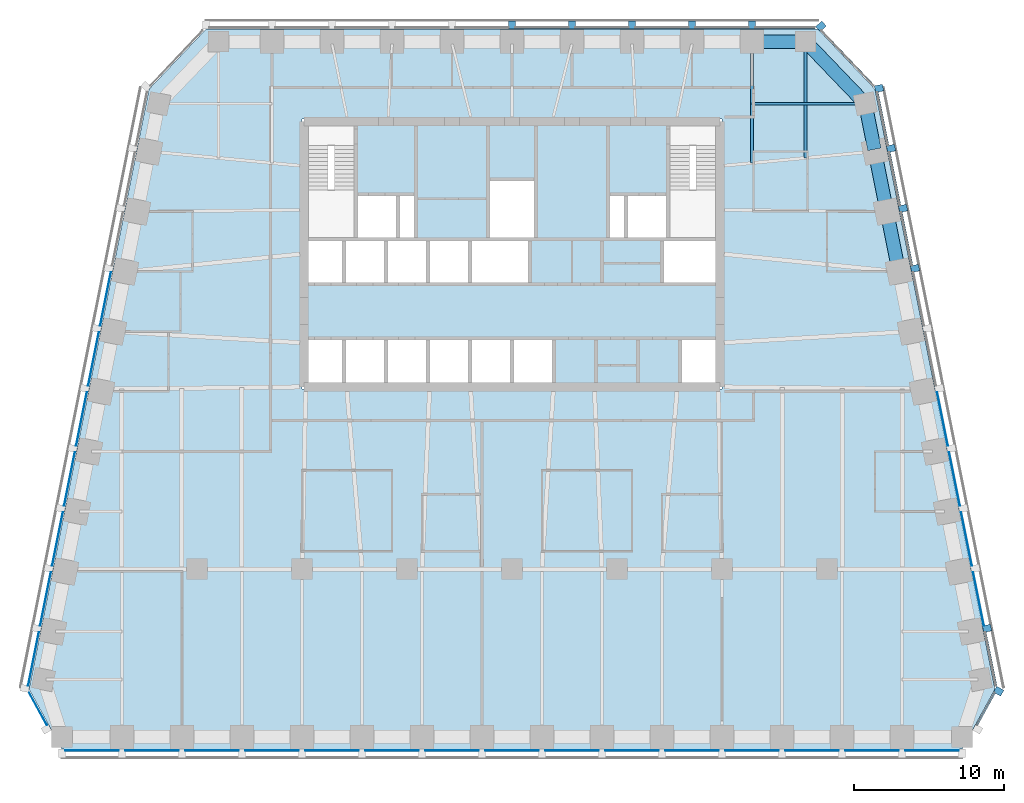
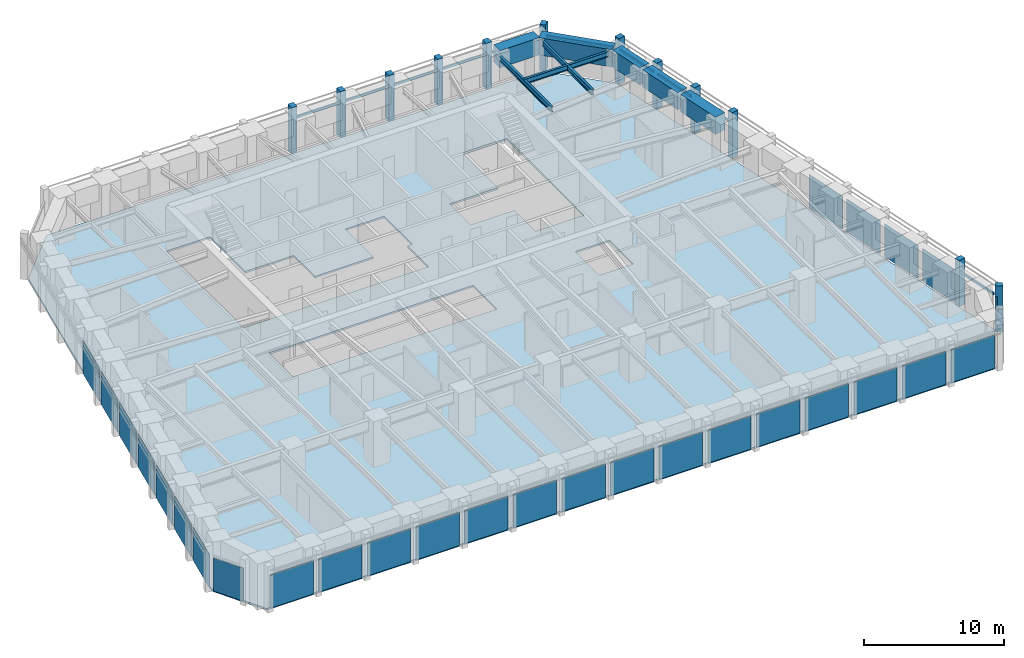
# One storey, part 4 of 10: 27 plates, 23 members, 8 beams, 1 slab, 7 elements without a shape of their own.
"""IFC4 building model written with IfcOpenShell, lengths in metres."""

from ifc_helpers import new_model, si_unit, direction, frame, origin, origin_2d, place, context, subcontext, project, spatial, polyline, rectangle, i_section, outline, extrude, material, layer, layer_set, material_profile, profile_set, type_object, element, aggregate, save


model = new_model("IFC4")

# Units and contexts
model_context = context("Model", 3, precision=1e-05, world=origin(), true_north=direction((0.0, 1.0)))
body_context = subcontext(model_context, "Body", "Model", "MODEL_VIEW")
ifc_project = project(units=[si_unit("LENGTHUNIT", "METRE"), si_unit("AREAUNIT", "SQUARE_METRE"), si_unit("VOLUMEUNIT", "CUBIC_METRE"), si_unit("PLANEANGLEUNIT", "RADIAN"), si_unit("MASSUNIT", "GRAM", prefix="KILO")], contexts=[model_context])

# Site, building, storey
site_placement = place(None, origin())
site = spatial("IfcSite", under=ifc_project, at=site_placement, CompositionType="ELEMENT")
building_placement = place(site_placement, origin())
building = spatial("IfcBuilding", under=site, at=building_placement, Name="Isbrekke Arena Tower", CompositionType="ELEMENT")
storey_placement = place(building_placement, frame((0.0, 0.0, 226.0)))
storey = spatial("IfcBuildingStorey", under=building, at=storey_placement, Name="L52", CompositionType="ELEMENT", Elevation=226.0)

# Beams
ifc_material_1 = material(Name="Steel S355", Category="steel")
ifc_material_profile_1 = material_profile(ifc_material_1, i_section(OverallWidth=0.18994140625, OverallDepth=0.449951171875, WebThickness=0.009521484375, FlangeThickness=0.0146484375, FilletRadius=0.02099609375, at=origin_2d()), Name="IPE 450")
ifc_profile_set_1 = profile_set([ifc_material_profile_1], Name="Steel S355")
beam_type_1 = type_object("IfcBeamType", Name="B2 IPE 450", PredefinedType="BEAM", material=ifc_profile_set_1)
beam_1_placement = place(storey_placement, frame((23.40283203125, 25.029296875, 3.625), z_axis=(-1.0, 0.0, 0.0), x_axis=(0.0, -1.0, 0.0)))
element("IfcBeam", 1, at=beam_1_placement, inside=storey, type_object=beam_type_1, Name="B2 beam E-E11 L52", PredefinedType="BEAM", context=body_context, shape_type="SweptSolid", body=[
    extrude(i_section(OverallWidth=0.18994140625, OverallDepth=0.449951171875, WebThickness=0.009521484375, FlangeThickness=0.0146484375, FilletRadius=0.02099609375, at=origin_2d()), origin(), (0.0, 0.0, 1.0), 7.40283203125),
])
ifc_material_2 = material(Name="Steel S355", Category="steel")
ifc_material_profile_2 = material_profile(ifc_material_2, i_section(OverallWidth=0.18994140625, OverallDepth=0.449951171875, WebThickness=0.009521484375, FlangeThickness=0.0146484375, FilletRadius=0.02099609375, at=origin_2d()), Name="IPE 450")
ifc_profile_set_2 = profile_set([ifc_material_profile_2], Name="Steel S355")
beam_type_2 = type_object("IfcBeamType", Name="B3 IPE 450", PredefinedType="BEAM", material=ifc_profile_set_2)
beam_2_placement = place(storey_placement, frame((19.574951171875, 29.02490234375, 3.625), z_axis=(0.0, -1.0, 0.0), x_axis=(1.0, 0.0, 0.0)))
element("IfcBeam", 2, at=beam_2_placement, inside=storey, type_object=beam_type_2, Name="B3 beam N-N01 L52", PredefinedType="BEAM", context=body_context, shape_type="SweptSolid", body=[
    extrude(i_section(OverallWidth=0.18994140625, OverallDepth=0.449951171875, WebThickness=0.009521484375, FlangeThickness=0.0146484375, FilletRadius=0.02099609375, at=origin_2d()), origin(), (0.0, 0.0, 1.0), 7.6103515625),
])
beam_3_placement = place(storey_placement, frame((16.0, 29.02490234375, 3.625), z_axis=(0.0, -1.0, 0.0), x_axis=(1.0, 0.0, 0.0)))
element("IfcBeam", 3, at=beam_3_placement, inside=storey, type_object=beam_type_2, Name="B3 beam N-N02 L52", PredefinedType="BEAM", context=body_context, shape_type="SweptSolid", body=[
    extrude(i_section(OverallWidth=0.18994140625, OverallDepth=0.449951171875, WebThickness=0.009521484375, FlangeThickness=0.0146484375, FilletRadius=0.02099609375, at=origin_2d()), origin(), (0.0, 0.0, 1.0), 7.949462890625),
])

# Curtain wall, member
ifc_material_3 = material(Name="Glazed aluminium curtain wall", Category="aluminium")
curtain_wall_type = type_object("IfcCurtainWallType", Name="CWH TOWER CURTAIN WALL HIGH ZONE", PredefinedType="USERDEFINED", material=ifc_material_3)
curtain_wall_1_placement = place(storey_placement, origin())
curtain_wall_1 = element("IfcCurtainWall", 4, at=curtain_wall_1_placement, inside=storey, type_object=curtain_wall_type, Name="CWH curtain wall L52-SE", ObjectType="TOWER CURTAIN WALL HIGH ZONE", PredefinedType="USERDEFINED")
ifc_material_4 = material(Name="Aluminium mullion, pale brick slip cladding", Category="masonry")
ifc_material_profile_3 = material_profile(ifc_material_4, rectangle(XDim=0.449951171875, YDim=0.550048828125, at=origin_2d()), Name="PIER 450X550")
ifc_profile_set_3 = profile_set([ifc_material_profile_3], Name="Aluminium mullion, pale brick slip cladding")
member_type_1 = type_object("IfcMemberType", Name="CWH-M PIER MULLION 450 x 550", PredefinedType="MULLION", material=ifc_profile_set_3)
member_1_placement = place(storey_placement, frame((32.44091796875, -14.132568359375, 0.0), z_axis=(0.0, 0.0, 1.0), x_axis=(0.481918749773, 0.876215908676, 0.0)))
member_1 = element("IfcMember", 5, at=member_1_placement, type_object=member_type_1, Name="CWH-M mullion 2", PredefinedType="MULLION", context=body_context, shape_type="SweptSolid", body=[
    extrude(rectangle(XDim=0.449951171875, YDim=0.550048828125, at=origin_2d()), origin(), (0.0, 0.0, 1.0), 4.0),
])

# Curtain wall, members
curtain_wall_2_placement = place(storey_placement, origin())
curtain_wall_2 = element("IfcCurtainWall", 6, at=curtain_wall_2_placement, inside=storey, type_object=curtain_wall_type, Name="CWH curtain wall L52-E", ObjectType="TOWER CURTAIN WALL HIGH ZONE", PredefinedType="USERDEFINED")
member_2_placement = place(storey_placement, frame((31.669677734375, -9.946044921875, 0.0), z_axis=(0.0, 0.0, 1.0), x_axis=(-0.196116135138, 0.980580675691, 0.0)))
member_2 = element("IfcMember", 7, at=member_2_placement, type_object=member_type_1, Name="CWH-M mullion 1", PredefinedType="MULLION", context=body_context, shape_type="SweptSolid", body=[
    extrude(rectangle(XDim=0.449951171875, YDim=0.550048828125, at=origin_2d()), origin(), (0.0, 0.0, 1.0), 4.0),
])
member_3_placement = place(storey_placement, frame((26.86962890625, 14.053955078125, 0.0), z_axis=(0.0, 0.0, 1.0), x_axis=(-0.196116135138, 0.980580675691, 0.0)))
member_3 = element("IfcMember", 8, at=member_3_placement, type_object=member_type_1, Name="CWH-M mullion 7", PredefinedType="MULLION", context=body_context, shape_type="SweptSolid", body=[
    extrude(rectangle(XDim=0.449951171875, YDim=0.550048828125, at=origin_2d()), origin(), (0.0, 0.0, 1.0), 4.0),
])
member_4_placement = place(storey_placement, frame((26.069580078125, 18.053955078125, 0.0), z_axis=(0.0, 0.0, 1.0), x_axis=(-0.196116135138, 0.980580675691, 0.0)))
member_4 = element("IfcMember", 9, at=member_4_placement, type_object=member_type_1, Name="CWH-M mullion 8", PredefinedType="MULLION", context=body_context, shape_type="SweptSolid", body=[
    extrude(rectangle(XDim=0.449951171875, YDim=0.550048828125, at=origin_2d()), origin(), (0.0, 0.0, 1.0), 4.0),
])
member_5_placement = place(storey_placement, frame((25.269775390625, 22.053955078125, 0.0), z_axis=(0.0, 0.0, 1.0), x_axis=(-0.196116135138, 0.980580675691, 0.0)))
member_5 = element("IfcMember", 10, at=member_5_placement, type_object=member_type_1, Name="CWH-M mullion 9", PredefinedType="MULLION", context=body_context, shape_type="SweptSolid", body=[
    extrude(rectangle(XDim=0.449951171875, YDim=0.550048828125, at=origin_2d()), origin(), (0.0, 0.0, 1.0), 4.0),
])
member_6_placement = place(storey_placement, frame((24.4697265625, 26.053955078125, 0.0), z_axis=(0.0, 0.0, 1.0), x_axis=(-0.196116135138, 0.980580675691, 0.0)))
member_6 = element("IfcMember", 11, at=member_6_placement, type_object=member_type_1, Name="CWH-M mullion 10", PredefinedType="MULLION", context=body_context, shape_type="SweptSolid", body=[
    extrude(rectangle(XDim=0.449951171875, YDim=0.550048828125, at=origin_2d()), origin(), (0.0, 0.0, 1.0), 4.0),
])

# Curtain wall, member
curtain_wall_3_placement = place(storey_placement, origin())
curtain_wall_3 = element("IfcCurtainWall", 12, at=curtain_wall_3_placement, inside=storey, type_object=curtain_wall_type, Name="CWH curtain wall L52-EN", ObjectType="TOWER CURTAIN WALL HIGH ZONE", PredefinedType="USERDEFINED")
member_7_placement = place(storey_placement, frame((20.599365234375, 30.189453125, 0.0), z_axis=(0.0, 0.0, 1.0), x_axis=(-0.68874946192, 0.72499943359, 0.0)))
member_7 = element("IfcMember", 13, at=member_7_placement, type_object=member_type_1, Name="CWH-M mullion 1", PredefinedType="MULLION", context=body_context, shape_type="SweptSolid", body=[
    extrude(rectangle(XDim=0.449951171875, YDim=0.550048828125, at=origin_2d()), origin(), (0.0, 0.0, 1.0), 4.0),
])

# Curtain wall, members
curtain_wall_4_placement = place(storey_placement, origin())
curtain_wall_4 = element("IfcCurtainWall", 14, at=curtain_wall_4_placement, inside=storey, type_object=curtain_wall_type, Name="CWH curtain wall L52-N", ObjectType="TOWER CURTAIN WALL HIGH ZONE", PredefinedType="USERDEFINED")
member_8_placement = place(storey_placement, frame((16.0, 30.27490234375, 0.0), z_axis=(0.0, 0.0, 1.0), x_axis=(-1.0, 0.0, 0.0)))
member_8 = element("IfcMember", 15, at=member_8_placement, type_object=member_type_1, Name="CWH-M mullion 1", PredefinedType="MULLION", context=body_context, shape_type="SweptSolid", body=[
    extrude(rectangle(XDim=0.449951171875, YDim=0.550048828125, at=origin_2d()), origin(), (0.0, 0.0, 1.0), 4.0),
])
member_9_placement = place(storey_placement, frame((12.0, 30.27490234375, 0.0), z_axis=(0.0, 0.0, 1.0), x_axis=(-1.0, 0.0, 0.0)))
member_9 = element("IfcMember", 16, at=member_9_placement, type_object=member_type_1, Name="CWH-M mullion 2", PredefinedType="MULLION", context=body_context, shape_type="SweptSolid", body=[
    extrude(rectangle(XDim=0.449951171875, YDim=0.550048828125, at=origin_2d()), origin(), (0.0, 0.0, 1.0), 4.0),
])
member_10_placement = place(storey_placement, frame((8.0, 30.27490234375, 0.0), z_axis=(0.0, 0.0, 1.0), x_axis=(-1.0, 0.0, 0.0)))
member_10 = element("IfcMember", 17, at=member_10_placement, type_object=member_type_1, Name="CWH-M mullion 3", PredefinedType="MULLION", context=body_context, shape_type="SweptSolid", body=[
    extrude(rectangle(XDim=0.449951171875, YDim=0.550048828125, at=origin_2d()), origin(), (0.0, 0.0, 1.0), 4.0),
])
member_11_placement = place(storey_placement, frame((4.0, 30.27490234375, 0.0), z_axis=(0.0, 0.0, 1.0), x_axis=(-1.0, 0.0, 0.0)))
member_11 = element("IfcMember", 18, at=member_11_placement, type_object=member_type_1, Name="CWH-M mullion 4", PredefinedType="MULLION", context=body_context, shape_type="SweptSolid", body=[
    extrude(rectangle(XDim=0.449951171875, YDim=0.550048828125, at=origin_2d()), origin(), (0.0, 0.0, 1.0), 4.0),
])
member_12_placement = place(storey_placement, frame((0.0, 30.27490234375, 0.0), z_axis=(0.0, 0.0, 1.0), x_axis=(-1.0, 0.0, 0.0)))
member_12 = element("IfcMember", 19, at=member_12_placement, type_object=member_type_1, Name="CWH-M mullion 5", PredefinedType="MULLION", context=body_context, shape_type="SweptSolid", body=[
    extrude(rectangle(XDim=0.449951171875, YDim=0.550048828125, at=origin_2d()), origin(), (0.0, 0.0, 1.0), 4.0),
])

# Member
ifc_material_5 = material(Name="Aluminium transom", Category="aluminium")
ifc_material_profile_4 = material_profile(ifc_material_5, rectangle(XDim=0.1201171875, YDim=0.199951171875, at=origin_2d()), Name="TRANSOM 120X200")
ifc_profile_set_4 = profile_set([ifc_material_profile_4], Name="Aluminium transom")
member_type_2 = type_object("IfcMemberType", Name="CWH-T TRANSOM 120 x 200", PredefinedType="USERDEFINED", material=ifc_profile_set_4)
member_13_placement = place(storey_placement, frame((31.002197265625, -16.38525390625, 3.0), z_axis=(0.481937937062, 0.876205355393, 0.0), x_axis=(-0.876205355393, 0.481937937062, 0.0)))
member_13 = element("IfcMember", 20, at=member_13_placement, type_object=member_type_2, Name="CWH-T transom 1", ObjectType="TRANSOM", PredefinedType="USERDEFINED", context=body_context, shape_type="SweptSolid", body=[
    extrude(rectangle(XDim=0.1201171875, YDim=0.199951171875, at=origin_2d()), origin(), (0.0, 0.0, 1.0), 2.442138671875),
])

aggregate(curtain_wall_1, [member_1, member_13])

member_14_placement = place(storey_placement, frame((32.25390625, -13.759765625, 3.0), z_axis=(-0.196090262229, 0.980585849918, 0.0), x_axis=(-0.980585849918, -0.196090262229, 0.0)))
member_14 = element("IfcMember", 21, at=member_14_placement, type_object=member_type_2, Name="CWH-T transom 1", ObjectType="TRANSOM", PredefinedType="USERDEFINED", context=body_context, shape_type="SweptSolid", body=[
    extrude(rectangle(XDim=0.1201171875, YDim=0.199951171875, at=origin_2d()), origin(), (0.0, 0.0, 1.0), 3.62939453125),
])

member_15_placement = place(storey_placement, frame((26.654052734375, 14.240234375, 3.0), z_axis=(-0.196154943734, 0.980572913173, 0.0), x_axis=(-0.980572913173, -0.196154943734, 0.0)))
member_15 = element("IfcMember", 22, at=member_15_placement, type_object=member_type_2, Name="CWH-T transom 8", ObjectType="TRANSOM", PredefinedType="USERDEFINED", context=body_context, shape_type="SweptSolid", body=[
    extrude(rectangle(XDim=0.1201171875, YDim=0.199951171875, at=origin_2d()), origin(), (0.0, 0.0, 1.0), 3.62939453125),
])

member_16_placement = place(storey_placement, frame((25.85400390625, 18.240234375, 3.0), z_axis=(-0.196154943734, 0.980572913173, 0.0), x_axis=(-0.980572913173, -0.196154943734, 0.0)))
member_16 = element("IfcMember", 23, at=member_16_placement, type_object=member_type_2, Name="CWH-T transom 9", ObjectType="TRANSOM", PredefinedType="USERDEFINED", context=body_context, shape_type="SweptSolid", body=[
    extrude(rectangle(XDim=0.1201171875, YDim=0.199951171875, at=origin_2d()), origin(), (0.0, 0.0, 1.0), 3.62939453125),
])

member_17_placement = place(storey_placement, frame((25.053955078125, 22.240234375, 3.0), z_axis=(-0.196090262229, 0.980585849918, 0.0), x_axis=(-0.980585849918, -0.196090262229, 0.0)))
member_17 = element("IfcMember", 24, at=member_17_placement, type_object=member_type_2, Name="CWH-T transom 10", ObjectType="TRANSOM", PredefinedType="USERDEFINED", context=body_context, shape_type="SweptSolid", body=[
    extrude(rectangle(XDim=0.1201171875, YDim=0.199951171875, at=origin_2d()), origin(), (0.0, 0.0, 1.0), 3.62939453125),
])

member_18_placement = place(storey_placement, frame((24.117431640625, 26.23193359375, 3.0), z_axis=(-0.688734266994, 0.725013868466, 0.0), x_axis=(-0.725013868466, -0.688734266994, 0.0)))
member_18 = element("IfcMember", 25, at=member_18_placement, type_object=member_type_2, Name="CWH-T transom 1", ObjectType="TRANSOM", PredefinedType="USERDEFINED", context=body_context, shape_type="SweptSolid", body=[
    extrude(rectangle(XDim=0.1201171875, YDim=0.199951171875, at=origin_2d()), origin(), (0.0, 0.0, 1.0), 5.067138671875),
])

aggregate(curtain_wall_3, [member_7, member_18])

member_19_placement = place(storey_placement, frame((20.175048828125, 30.10009765625, 3.0), z_axis=(-1.0, 0.0, 0.0), x_axis=(0.0, -1.0, 0.0)))
member_19 = element("IfcMember", 26, at=member_19_placement, type_object=member_type_2, Name="CWH-T transom 1", ObjectType="TRANSOM", PredefinedType="USERDEFINED", context=body_context, shape_type="SweptSolid", body=[
    extrude(rectangle(XDim=0.1201171875, YDim=0.199951171875, at=origin_2d()), origin(), (0.0, 0.0, 1.0), 3.949951171875),
])

member_20_placement = place(storey_placement, frame((15.77490234375, 30.10009765625, 3.0), z_axis=(-1.0, 0.0, 0.0), x_axis=(0.0, -1.0, 0.0)))
member_20 = element("IfcMember", 27, at=member_20_placement, type_object=member_type_2, Name="CWH-T transom 2", ObjectType="TRANSOM", PredefinedType="USERDEFINED", context=body_context, shape_type="SweptSolid", body=[
    extrude(rectangle(XDim=0.1201171875, YDim=0.199951171875, at=origin_2d()), origin(), (0.0, 0.0, 1.0), 3.5498046875),
])

member_21_placement = place(storey_placement, frame((11.77490234375, 30.10009765625, 3.0), z_axis=(-1.0, 0.0, 0.0), x_axis=(0.0, -1.0, 0.0)))
member_21 = element("IfcMember", 28, at=member_21_placement, type_object=member_type_2, Name="CWH-T transom 3", ObjectType="TRANSOM", PredefinedType="USERDEFINED", context=body_context, shape_type="SweptSolid", body=[
    extrude(rectangle(XDim=0.1201171875, YDim=0.199951171875, at=origin_2d()), origin(), (0.0, 0.0, 1.0), 3.5498046875),
])

member_22_placement = place(storey_placement, frame((7.77490234375, 30.10009765625, 3.0), z_axis=(-1.0, 0.0, 0.0), x_axis=(0.0, -1.0, 0.0)))
member_22 = element("IfcMember", 29, at=member_22_placement, type_object=member_type_2, Name="CWH-T transom 4", ObjectType="TRANSOM", PredefinedType="USERDEFINED", context=body_context, shape_type="SweptSolid", body=[
    extrude(rectangle(XDim=0.1201171875, YDim=0.199951171875, at=origin_2d()), origin(), (0.0, 0.0, 1.0), 3.5498046875),
])

member_23_placement = place(storey_placement, frame((3.77490234375, 30.10009765625, 3.0), z_axis=(-1.0, 0.0, 0.0), x_axis=(0.0, -1.0, 0.0)))
member_23 = element("IfcMember", 30, at=member_23_placement, type_object=member_type_2, Name="CWH-T transom 5", ObjectType="TRANSOM", PredefinedType="USERDEFINED", context=body_context, shape_type="SweptSolid", body=[
    extrude(rectangle(XDim=0.1201171875, YDim=0.199951171875, at=origin_2d()), origin(), (0.0, 0.0, 1.0), 3.5498046875),
])

aggregate(curtain_wall_4, [member_8, member_9, member_10, member_11, member_12, member_19, member_20, member_21, member_22, member_23])

# Beams
ifc_material_6 = material(Name="Concrete B65 (C65/80)", Category="concrete")
ifc_material_profile_5 = material_profile(ifc_material_6, rectangle(XDim=0.89990234375, YDim=1.5, at=origin_2d()), Name="RC 900x1500")
ifc_profile_set_5 = profile_set([ifc_material_profile_5], Name="Concrete B65 (C65/80)")
beam_type_3 = type_object("IfcBeamType", Name="SB3 RC 900 x 1500", PredefinedType="SPANDREL", material=ifc_profile_set_5)
for number, where, z_axis, x_axis, name in (
    (31, (25.76171875, 13.9853515625, 3.25), (-0.196128558387, 0.980578190959, 0.0), (-0.980578190959, -0.196128558387, 0.0), "SB3 spandrel E08-E09 L52"),
    (32, (24.961669921875, 17.9853515625, 3.25), (-0.196128558387, 0.980578190959, 0.0), (-0.980578190959, -0.196128558387, 0.0), "SB3 spandrel E09-E10 L52"),
):
    element("IfcBeam", number, at=place(storey_placement, frame(where, z_axis=z_axis, x_axis=x_axis)), inside=storey, type_object=beam_type_3, Name=name, PredefinedType="SPANDREL", context=body_context, shape_type="SweptSolid", body=[
        extrude(rectangle(XDim=0.89990234375, YDim=1.5, at=origin_2d()), origin(), (0.0, 0.0, 1.0), 3.779296875),
    ])
beam_4_placement = place(storey_placement, frame((24.16162109375, 21.9853515625, 3.25), z_axis=(-0.196116135138, 0.980580675691, 0.0), x_axis=(-0.980580675691, -0.196116135138, 0.0)))
element("IfcBeam", 33, at=beam_4_placement, inside=storey, type_object=beam_type_3, Name="SB3 spandrel E10-E11 L52", PredefinedType="SPANDREL", context=body_context, shape_type="SweptSolid", body=[
    extrude(rectangle(XDim=0.89990234375, YDim=1.5, at=origin_2d()), origin(), (0.0, 0.0, 1.0), 2.9541015625),
])
beam_5_placement = place(storey_placement, frame((23.448974609375, 25.137451171875, 3.25), z_axis=(-0.692339547635, 0.721571861134, 0.0), x_axis=(-0.721571861134, -0.692339547635, 0.0)))
element("IfcBeam", 34, at=beam_5_placement, inside=storey, type_object=beam_type_3, Name="SB3 spandrel E11-N01 L52", PredefinedType="SPANDREL", context=body_context, shape_type="SweptSolid", body=[
    extrude(rectangle(XDim=0.89990234375, YDim=1.5, at=origin_2d()), origin(), (0.0, 0.0, 1.0), 5.4453125),
])
beam_6_placement = place(storey_placement, frame((19.425048828125, 29.175048828125, 3.25), z_axis=(-1.0, 0.0, 0.0), x_axis=(0.0, -1.0, 0.0)))
element("IfcBeam", 35, at=beam_6_placement, inside=storey, type_object=beam_type_3, Name="SB3 spandrel N01-N02 L52", PredefinedType="SPANDREL", context=body_context, shape_type="SweptSolid", body=[
    extrude(rectangle(XDim=0.89990234375, YDim=1.5, at=origin_2d()), origin(), (0.0, 0.0, 1.0), 3.275146484375),
])

# Curtain wall, plates
curtain_wall_5_placement = place(storey_placement, origin())
curtain_wall_5 = element("IfcCurtainWall", 36, at=curtain_wall_5_placement, inside=storey, type_object=curtain_wall_type, Name="CWH curtain wall L52-S", ObjectType="TOWER CURTAIN WALL HIGH ZONE", PredefinedType="USERDEFINED")
ifc_material_7 = material(Name="Triple-glazed clear glass unit", Category="glass")
ifc_layer_1 = layer(ifc_material_7, 0.031982421875)
ifc_layer_set_1 = layer_set([ifc_layer_1], Name="CWH-P VISION PANEL")
plate_type = type_object("IfcPlateType", Name="CWH-P VISION PANEL", PredefinedType="CURTAIN_PANEL", material=ifc_layer_set_1)
plate_1_placement = place(storey_placement, frame((-28.0, -18.10009765625, 0.02001953125), z_axis=(0.0, 0.0, 1.0), x_axis=(1.0, 0.0, 0.0)))
plate_1 = element("IfcPlate", 37, at=plate_1_placement, type_object=plate_type, Name="CWH-P panel 1", PredefinedType="CURTAIN_PANEL", context=body_context, shape_type="SweptSolid", body=[
    extrude(rectangle(XDim=3.550048828125, YDim=0.031982421875, at=origin_2d()), origin(), (0.0, 0.0, 1.0), 2.8798828125),
])
plate_2_placement = place(storey_placement, frame((-24.0, -18.10009765625, 0.02001953125), z_axis=(0.0, 0.0, 1.0), x_axis=(1.0, 0.0, 0.0)))
plate_2 = element("IfcPlate", 38, at=plate_2_placement, type_object=plate_type, Name="CWH-P panel 2", PredefinedType="CURTAIN_PANEL", context=body_context, shape_type="SweptSolid", body=[
    extrude(rectangle(XDim=3.550048828125, YDim=0.031982421875, at=origin_2d()), origin(), (0.0, 0.0, 1.0), 2.8798828125),
])
plate_3_placement = place(storey_placement, frame((-20.0, -18.10009765625, 0.02001953125), z_axis=(0.0, 0.0, 1.0), x_axis=(1.0, 0.0, 0.0)))
plate_3 = element("IfcPlate", 39, at=plate_3_placement, type_object=plate_type, Name="CWH-P panel 3", PredefinedType="CURTAIN_PANEL", context=body_context, shape_type="SweptSolid", body=[
    extrude(rectangle(XDim=3.550048828125, YDim=0.031982421875, at=origin_2d()), origin(), (0.0, 0.0, 1.0), 2.8798828125),
])
plate_4_placement = place(storey_placement, frame((-16.0, -18.10009765625, 0.02001953125), z_axis=(0.0, 0.0, 1.0), x_axis=(1.0, 0.0, 0.0)))
plate_4 = element("IfcPlate", 40, at=plate_4_placement, type_object=plate_type, Name="CWH-P panel 4", PredefinedType="CURTAIN_PANEL", context=body_context, shape_type="SweptSolid", body=[
    extrude(rectangle(XDim=3.550048828125, YDim=0.031982421875, at=origin_2d()), origin(), (0.0, 0.0, 1.0), 2.8798828125),
])
plate_5_placement = place(storey_placement, frame((-12.0, -18.10009765625, 0.02001953125), z_axis=(0.0, 0.0, 1.0), x_axis=(1.0, 0.0, 0.0)))
plate_5 = element("IfcPlate", 41, at=plate_5_placement, type_object=plate_type, Name="CWH-P panel 5", PredefinedType="CURTAIN_PANEL", context=body_context, shape_type="SweptSolid", body=[
    extrude(rectangle(XDim=3.550048828125, YDim=0.031982421875, at=origin_2d()), origin(), (0.0, 0.0, 1.0), 2.8798828125),
])
plate_6_placement = place(storey_placement, frame((-8.0, -18.10009765625, 0.02001953125), z_axis=(0.0, 0.0, 1.0), x_axis=(1.0, 0.0, 0.0)))
plate_6 = element("IfcPlate", 42, at=plate_6_placement, type_object=plate_type, Name="CWH-P panel 6", PredefinedType="CURTAIN_PANEL", context=body_context, shape_type="SweptSolid", body=[
    extrude(rectangle(XDim=3.550048828125, YDim=0.031982421875, at=origin_2d()), origin(), (0.0, 0.0, 1.0), 2.8798828125),
])
plate_7_placement = place(storey_placement, frame((-4.0, -18.10009765625, 0.02001953125), z_axis=(0.0, 0.0, 1.0), x_axis=(1.0, 0.0, 0.0)))
plate_7 = element("IfcPlate", 43, at=plate_7_placement, type_object=plate_type, Name="CWH-P panel 7", PredefinedType="CURTAIN_PANEL", context=body_context, shape_type="SweptSolid", body=[
    extrude(rectangle(XDim=3.550048828125, YDim=0.031982421875, at=origin_2d()), origin(), (0.0, 0.0, 1.0), 2.8798828125),
])
plate_8_placement = place(storey_placement, frame((0.0, -18.10009765625, 0.02001953125), z_axis=(0.0, 0.0, 1.0), x_axis=(1.0, 0.0, 0.0)))
plate_8 = element("IfcPlate", 44, at=plate_8_placement, type_object=plate_type, Name="CWH-P panel 8", PredefinedType="CURTAIN_PANEL", context=body_context, shape_type="SweptSolid", body=[
    extrude(rectangle(XDim=3.550048828125, YDim=0.031982421875, at=origin_2d()), origin(), (0.0, 0.0, 1.0), 2.8798828125),
])
plate_9_placement = place(storey_placement, frame((4.0, -18.10009765625, 0.02001953125), z_axis=(0.0, 0.0, 1.0), x_axis=(1.0, 0.0, 0.0)))
plate_9 = element("IfcPlate", 45, at=plate_9_placement, type_object=plate_type, Name="CWH-P panel 9", PredefinedType="CURTAIN_PANEL", context=body_context, shape_type="SweptSolid", body=[
    extrude(rectangle(XDim=3.550048828125, YDim=0.031982421875, at=origin_2d()), origin(), (0.0, 0.0, 1.0), 2.8798828125),
])
plate_10_placement = place(storey_placement, frame((8.0, -18.10009765625, 0.02001953125), z_axis=(0.0, 0.0, 1.0), x_axis=(1.0, 0.0, 0.0)))
plate_10 = element("IfcPlate", 46, at=plate_10_placement, type_object=plate_type, Name="CWH-P panel 10", PredefinedType="CURTAIN_PANEL", context=body_context, shape_type="SweptSolid", body=[
    extrude(rectangle(XDim=3.550048828125, YDim=0.031982421875, at=origin_2d()), origin(), (0.0, 0.0, 1.0), 2.8798828125),
])
plate_11_placement = place(storey_placement, frame((12.0, -18.10009765625, 0.02001953125), z_axis=(0.0, 0.0, 1.0), x_axis=(1.0, 0.0, 0.0)))
plate_11 = element("IfcPlate", 47, at=plate_11_placement, type_object=plate_type, Name="CWH-P panel 11", PredefinedType="CURTAIN_PANEL", context=body_context, shape_type="SweptSolid", body=[
    extrude(rectangle(XDim=3.550048828125, YDim=0.031982421875, at=origin_2d()), origin(), (0.0, 0.0, 1.0), 2.8798828125),
])
plate_12_placement = place(storey_placement, frame((16.0, -18.10009765625, 0.02001953125), z_axis=(0.0, 0.0, 1.0), x_axis=(1.0, 0.0, 0.0)))
plate_12 = element("IfcPlate", 48, at=plate_12_placement, type_object=plate_type, Name="CWH-P panel 12", PredefinedType="CURTAIN_PANEL", context=body_context, shape_type="SweptSolid", body=[
    extrude(rectangle(XDim=3.550048828125, YDim=0.031982421875, at=origin_2d()), origin(), (0.0, 0.0, 1.0), 2.8798828125),
])
plate_13_placement = place(storey_placement, frame((20.0, -18.10009765625, 0.02001953125), z_axis=(0.0, 0.0, 1.0), x_axis=(1.0, 0.0, 0.0)))
plate_13 = element("IfcPlate", 49, at=plate_13_placement, type_object=plate_type, Name="CWH-P panel 13", PredefinedType="CURTAIN_PANEL", context=body_context, shape_type="SweptSolid", body=[
    extrude(rectangle(XDim=3.550048828125, YDim=0.031982421875, at=origin_2d()), origin(), (0.0, 0.0, 1.0), 2.8798828125),
])
plate_14_placement = place(storey_placement, frame((24.0, -18.10009765625, 0.02001953125), z_axis=(0.0, 0.0, 1.0), x_axis=(1.0, 0.0, 0.0)))
plate_14 = element("IfcPlate", 50, at=plate_14_placement, type_object=plate_type, Name="CWH-P panel 14", PredefinedType="CURTAIN_PANEL", context=body_context, shape_type="SweptSolid", body=[
    extrude(rectangle(XDim=3.550048828125, YDim=0.031982421875, at=origin_2d()), origin(), (0.0, 0.0, 1.0), 2.8798828125),
])
plate_15_placement = place(storey_placement, frame((28.0, -18.10009765625, 0.02001953125), z_axis=(0.0, 0.0, 1.0), x_axis=(1.0, 0.0, 0.0)))
plate_15 = element("IfcPlate", 51, at=plate_15_placement, type_object=plate_type, Name="CWH-P panel 15", PredefinedType="CURTAIN_PANEL", context=body_context, shape_type="SweptSolid", body=[
    extrude(rectangle(XDim=3.550048828125, YDim=0.031982421875, at=origin_2d()), origin(), (0.0, 0.0, 1.0), 2.8798828125),
])
aggregate(curtain_wall_5, [plate_1, plate_2, plate_3, plate_4, plate_5, plate_6, plate_7, plate_8, plate_9, plate_10, plate_11, plate_12, plate_13, plate_14, plate_15])

# Plate
plate_16_placement = place(storey_placement, frame((31.09814453125, -7.98046875, 0.02001953125), z_axis=(0.0, 0.0, 1.0), x_axis=(-0.196116135138, 0.980580675691, 0.0)))
plate_16 = element("IfcPlate", 52, at=plate_16_placement, type_object=plate_type, Name="CWH-P panel 2", PredefinedType="CURTAIN_PANEL", context=body_context, shape_type="SweptSolid", body=[
    extrude(rectangle(XDim=3.629150390625, YDim=0.031982421875, at=origin_2d()), origin(), (0.0, 0.0, 1.0), 2.8798828125),
])

plate_17_placement = place(storey_placement, frame((30.298095703125, -3.98046875, 0.02001953125), z_axis=(0.0, 0.0, 1.0), x_axis=(-0.196116135138, 0.980580675691, 0.0)))
plate_17 = element("IfcPlate", 53, at=plate_17_placement, type_object=plate_type, Name="CWH-P panel 3", PredefinedType="CURTAIN_PANEL", context=body_context, shape_type="SweptSolid", body=[
    extrude(rectangle(XDim=3.629150390625, YDim=0.031982421875, at=origin_2d()), origin(), (0.0, 0.0, 1.0), 2.8798828125),
])

plate_18_placement = place(storey_placement, frame((29.498046875, 0.01953125, 0.02001953125), z_axis=(0.0, 0.0, 1.0), x_axis=(-0.196116135138, 0.980580675691, 0.0)))
plate_18 = element("IfcPlate", 54, at=plate_18_placement, type_object=plate_type, Name="CWH-P panel 4", PredefinedType="CURTAIN_PANEL", context=body_context, shape_type="SweptSolid", body=[
    extrude(rectangle(XDim=3.629150390625, YDim=0.031982421875, at=origin_2d()), origin(), (0.0, 0.0, 1.0), 2.8798828125),
])

plate_19_placement = place(storey_placement, frame((28.697998046875, 4.01953125, 0.02001953125), z_axis=(0.0, 0.0, 1.0), x_axis=(-0.196116135138, 0.980580675691, 0.0)))
plate_19 = element("IfcPlate", 55, at=plate_19_placement, type_object=plate_type, Name="CWH-P panel 5", PredefinedType="CURTAIN_PANEL", context=body_context, shape_type="SweptSolid", body=[
    extrude(rectangle(XDim=3.629150390625, YDim=0.031982421875, at=origin_2d()), origin(), (0.0, 0.0, 1.0), 2.8798828125),
])

aggregate(curtain_wall_2, [member_2, member_3, member_4, member_5, member_6, member_14, plate_16, plate_17, plate_18, plate_19, member_15, member_16, member_17])

# Curtain wall, plates
curtain_wall_6_placement = place(storey_placement, origin())
curtain_wall_6 = element("IfcCurtainWall", 56, at=curtain_wall_6_placement, inside=storey, type_object=curtain_wall_type, Name="CWH curtain wall L52-W", ObjectType="TOWER CURTAIN WALL HIGH ZONE", PredefinedType="USERDEFINED")
plate_20_placement = place(storey_placement, frame((-27.09814453125, 12.01953125, 0.02001953125), z_axis=(0.0, 0.0, 1.0), x_axis=(-0.196116135138, -0.980580675691, 0.0)))
plate_20 = element("IfcPlate", 57, at=plate_20_placement, type_object=plate_type, Name="CWH-P panel 4", PredefinedType="CURTAIN_PANEL", context=body_context, shape_type="SweptSolid", body=[
    extrude(rectangle(XDim=3.629150390625, YDim=0.031982421875, at=origin_2d()), origin(), (0.0, 0.0, 1.0), 2.8798828125),
])
plate_21_placement = place(storey_placement, frame((-27.89794921875, 8.01953125, 0.02001953125), z_axis=(0.0, 0.0, 1.0), x_axis=(-0.196116135138, -0.980580675691, 0.0)))
plate_21 = element("IfcPlate", 58, at=plate_21_placement, type_object=plate_type, Name="CWH-P panel 5", PredefinedType="CURTAIN_PANEL", context=body_context, shape_type="SweptSolid", body=[
    extrude(rectangle(XDim=3.629150390625, YDim=0.031982421875, at=origin_2d()), origin(), (0.0, 0.0, 1.0), 2.8798828125),
])
plate_22_placement = place(storey_placement, frame((-28.697998046875, 4.01953125, 0.02001953125), z_axis=(0.0, 0.0, 1.0), x_axis=(-0.196116135138, -0.980580675691, 0.0)))
plate_22 = element("IfcPlate", 59, at=plate_22_placement, type_object=plate_type, Name="CWH-P panel 6", PredefinedType="CURTAIN_PANEL", context=body_context, shape_type="SweptSolid", body=[
    extrude(rectangle(XDim=3.629150390625, YDim=0.031982421875, at=origin_2d()), origin(), (0.0, 0.0, 1.0), 2.8798828125),
])
plate_23_placement = place(storey_placement, frame((-29.498046875, 0.01953125, 0.02001953125), z_axis=(0.0, 0.0, 1.0), x_axis=(-0.196116135138, -0.980580675691, 0.0)))
plate_23 = element("IfcPlate", 60, at=plate_23_placement, type_object=plate_type, Name="CWH-P panel 7", PredefinedType="CURTAIN_PANEL", context=body_context, shape_type="SweptSolid", body=[
    extrude(rectangle(XDim=3.629150390625, YDim=0.031982421875, at=origin_2d()), origin(), (0.0, 0.0, 1.0), 2.8798828125),
])
plate_24_placement = place(storey_placement, frame((-30.298095703125, -3.98046875, 0.02001953125), z_axis=(0.0, 0.0, 1.0), x_axis=(-0.196116135138, -0.980580675691, 0.0)))
plate_24 = element("IfcPlate", 61, at=plate_24_placement, type_object=plate_type, Name="CWH-P panel 8", PredefinedType="CURTAIN_PANEL", context=body_context, shape_type="SweptSolid", body=[
    extrude(rectangle(XDim=3.629150390625, YDim=0.031982421875, at=origin_2d()), origin(), (0.0, 0.0, 1.0), 2.8798828125),
])
plate_25_placement = place(storey_placement, frame((-31.09814453125, -7.98046875, 0.02001953125), z_axis=(0.0, 0.0, 1.0), x_axis=(-0.196116135138, -0.980580675691, 0.0)))
plate_25 = element("IfcPlate", 62, at=plate_25_placement, type_object=plate_type, Name="CWH-P panel 9", PredefinedType="CURTAIN_PANEL", context=body_context, shape_type="SweptSolid", body=[
    extrude(rectangle(XDim=3.629150390625, YDim=0.031982421875, at=origin_2d()), origin(), (0.0, 0.0, 1.0), 2.8798828125),
])
plate_26_placement = place(storey_placement, frame((-31.89794921875, -11.98046875, 0.02001953125), z_axis=(0.0, 0.0, 1.0), x_axis=(-0.196116135138, -0.980580675691, 0.0)))
plate_26 = element("IfcPlate", 63, at=plate_26_placement, type_object=plate_type, Name="CWH-P panel 10", PredefinedType="CURTAIN_PANEL", context=body_context, shape_type="SweptSolid", body=[
    extrude(rectangle(XDim=3.629150390625, YDim=0.031982421875, at=origin_2d()), origin(), (0.0, 0.0, 1.0), 2.8798828125),
])
aggregate(curtain_wall_6, [plate_20, plate_21, plate_22, plate_23, plate_24, plate_25, plate_26])

# Curtain wall, plate
curtain_wall_7_placement = place(storey_placement, origin())
curtain_wall_7 = element("IfcCurtainWall", 64, at=curtain_wall_7_placement, inside=storey, type_object=curtain_wall_type, Name="CWH curtain wall L52-WS", ObjectType="TOWER CURTAIN WALL HIGH ZONE", PredefinedType="USERDEFINED")
plate_27_placement = place(storey_placement, frame((-31.59033203125, -15.31591796875, 0.02001953125), z_axis=(0.0, 0.0, 1.0), x_axis=(0.481918749773, -0.876215908676, 0.0)))
plate_27 = element("IfcPlate", 65, at=plate_27_placement, type_object=plate_type, Name="CWH-P panel 1", PredefinedType="CURTAIN_PANEL", context=body_context, shape_type="SweptSolid", body=[
    extrude(rectangle(XDim=2.443603515625, YDim=0.031982421875, at=origin_2d()), origin(), (0.0, 0.0, 1.0), 2.8798828125),
])
aggregate(curtain_wall_7, [plate_27])

# Slab
ifc_material_8 = material(Name="Concrete B35 (C35/45)", Category="concrete")
ifc_layer_2 = layer(ifc_material_8, 0.14990234375)
ifc_layer_set_2 = layer_set([ifc_layer_2], Name="FS1 COMPOSITE FLOOR 150")
slab_type = type_object("IfcSlabType", Name="FS1 COMPOSITE FLOOR 150", PredefinedType="FLOOR", material=ifc_layer_set_2)
slab_placement = place(storey_placement, frame((0.0, 0.0, -0.14990234375)))
element("IfcSlab", 66, at=slab_placement, inside=storey, type_object=slab_type, Name="FS1 floor slab L52", PredefinedType="FLOOR", context=body_context, shape_type="SweptSolid", body=[
    extrude(outline(polyline([(-30.0, -18.0), (30.0, -18.0), (32.199951171875, -14.0), (24.199951171875, 26.0), (20.39990234375, 30.0), (-20.39990234375, 30.0), (-24.199951171875, 26.0), (-32.199951171875, -14.0), (-30.0, -18.0)]), holes=[polyline([(2.800048828125, 9.39990234375), (2.800048828125, 6.0), (-14.0, 6.0), (-14.0, 9.39990234375), (2.800048828125, 9.39990234375)]), polyline([(11.199951171875, 6.0), (11.199951171875, 9.39990234375), (14.0, 9.39990234375), (14.0, 6.0), (11.199951171875, 6.0)]), polyline([(-14.0, 13.0), (-14.0, 24.0), (-10.39990234375, 24.0), (-10.39990234375, 19.0), (-6.39990234375, 19.0), (-6.39990234375, 16.0), (-1.60009765625, 16.0), (-1.60009765625, 20.0), (1.60009765625, 20.0), (1.60009765625, 16.0), (1.199951171875, 16.0), (1.199951171875, 13.0), (-14.0, 13.0)]), polyline([(10.0, 13.0), (10.0, 16.0), (6.39990234375, 16.0), (6.39990234375, 19.0), (10.39990234375, 19.0), (10.39990234375, 24.0), (14.0, 24.0), (14.0, 13.0), (10.0, 13.0)])]), origin(), (0.0, 0.0, 1.0), 0.14990234375),
])

save(model, "model.ifc")
